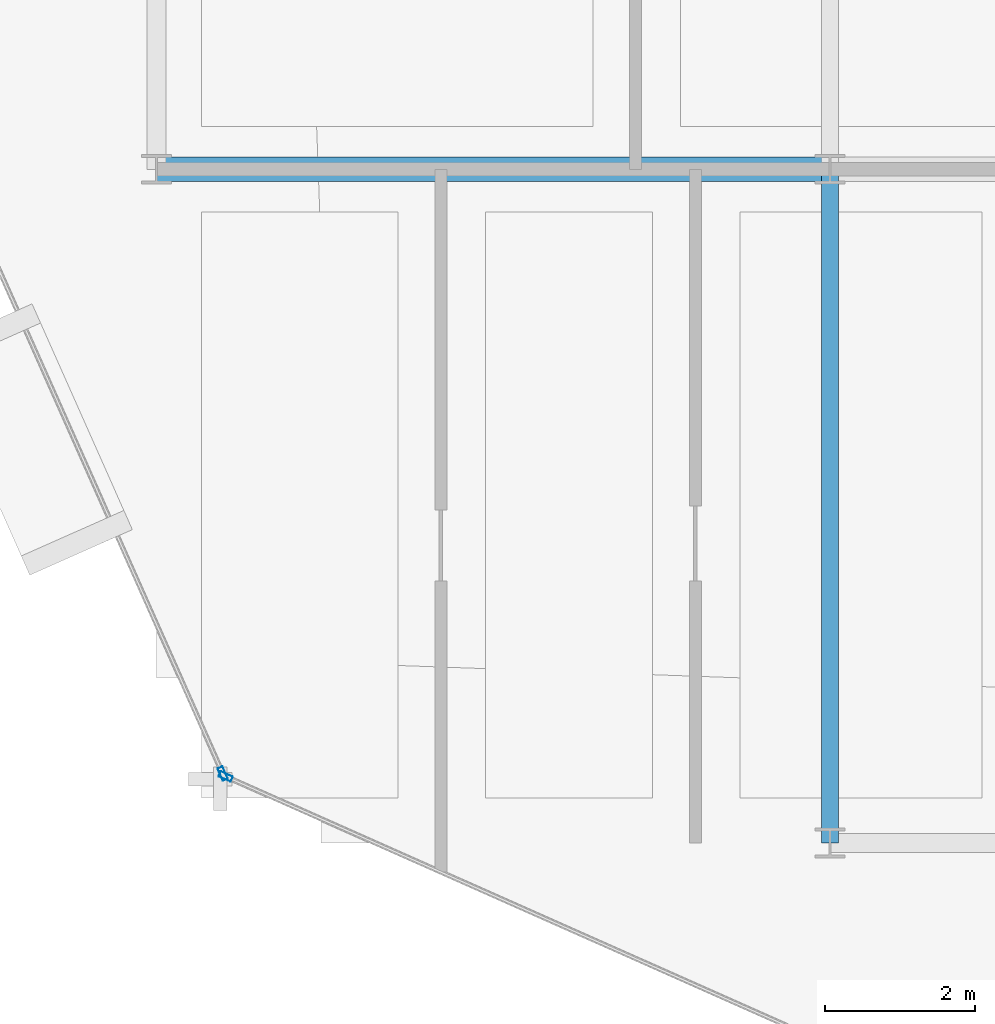
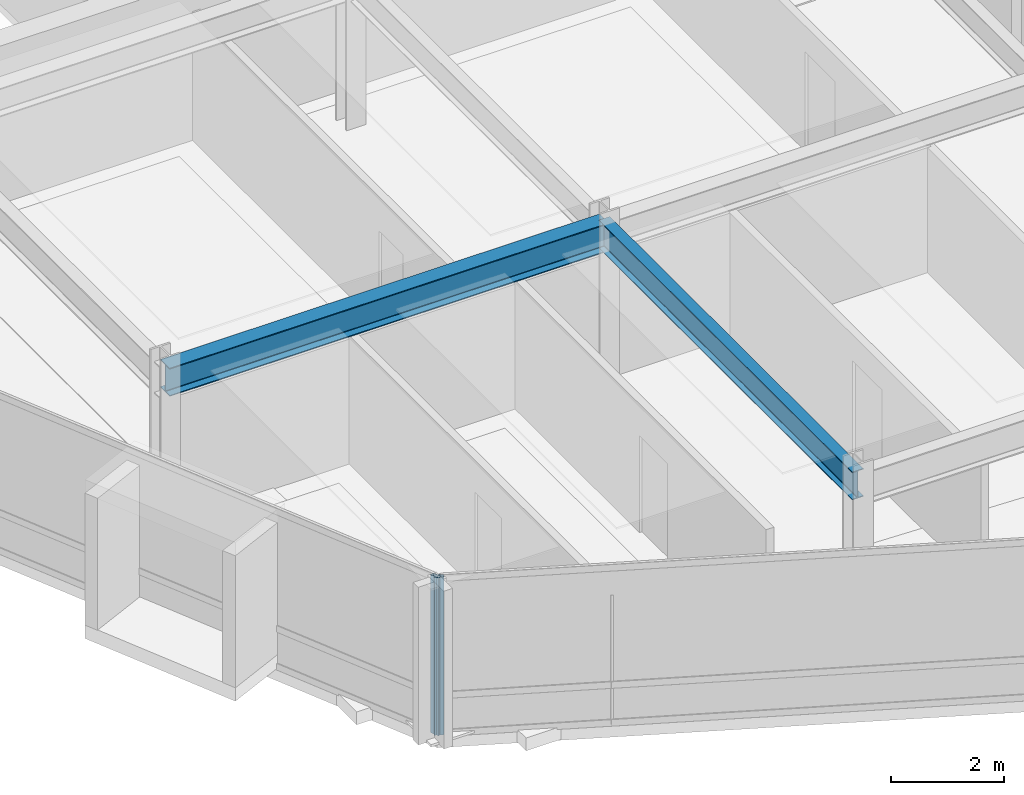
# One storey, part 2 of 27: 2 beams, 2 members, 2 elements without a shape of their own.
"""IFC4 building model written with IfcOpenShell, lengths in metres."""

from ifc_helpers import new_model, si_unit, direction, frame, origin, origin_2d, place, context, subcontext, project, spatial, hollow_rectangle, i_section, extrude, material, layer, layer_set, material_profile, profile_set, type_object, element, aggregate, save


model = new_model("IFC4")

# Units and contexts
model_context = context("Model", 3, precision=1e-05, world=origin(), true_north=direction((0.0, 1.0)))
body_context = subcontext(model_context, "Body", "Model", "MODEL_VIEW")
ifc_project = project(units=[si_unit("LENGTHUNIT", "METRE"), si_unit("AREAUNIT", "SQUARE_METRE"), si_unit("VOLUMEUNIT", "CUBIC_METRE"), si_unit("PLANEANGLEUNIT", "RADIAN"), si_unit("MASSUNIT", "GRAM", prefix="KILO")], contexts=[model_context])

# Site, building, storey
site_placement = place(None, origin())
site = spatial("IfcSite", under=ifc_project, at=site_placement, CompositionType="ELEMENT")
building_placement = place(site_placement, origin())
building = spatial("IfcBuilding", under=site, at=building_placement, Name="Solvaryn Broadcast Tower", CompositionType="ELEMENT")
storey_placement = place(building_placement, frame((0.0, 0.0, 228.39990234375)))
storey = spatial("IfcBuildingStorey", under=building, at=storey_placement, Name="L57", CompositionType="ELEMENT", Elevation=228.39990234375)

# Beams
ifc_material_1 = material(Name="Steel ASTM A992 Grade 50", Category="steel")
ifc_material_profile_1 = material_profile(ifc_material_1, i_section(OverallWidth=0.323974609375, OverallDepth=0.611083984375, WebThickness=0.0126953125, FlangeThickness=0.01904296875, FilletRadius=0.014892578125, at=origin_2d()))
ifc_profile_set_1 = profile_set([ifc_material_profile_1], Name="Steel ASTM A992 Grade 50")
beam_type_1 = type_object("IfcBeamType", Name="BM-B1-W24X104", PredefinedType="BEAM", material=ifc_profile_set_1)
beam_1_placement = place(storey_placement, frame((9.0, 18.0, 3.114501953125), z_axis=(1.0, 0.0, 0.0), x_axis=(0.0, 1.0, 0.0)))
element("IfcBeam", 1, at=beam_1_placement, inside=storey, type_object=beam_type_1, Name="L57 Primary Beam X (9-18 @ Y=18)", PredefinedType="BEAM", context=body_context, shape_type="SweptSolid", body=[
    extrude(i_section(OverallWidth=0.323974609375, OverallDepth=0.611083984375, WebThickness=0.0126953125, FlangeThickness=0.01904296875, FilletRadius=0.014892578125, at=origin_2d()), origin(), (0.0, 0.0, 1.0), 9.0),
])
ifc_material_2 = material(Name="Steel ASTM A992 Grade 50", Category="steel")
ifc_material_profile_2 = material_profile(ifc_material_2, i_section(OverallWidth=0.22802734375, OverallDepth=0.60791015625, WebThickness=0.01123046875, FlangeThickness=0.017333984375, FilletRadius=0.014892578125, at=origin_2d()))
ifc_profile_set_2 = profile_set([ifc_material_profile_2], Name="Steel ASTM A992 Grade 50")
beam_type_2 = type_object("IfcBeamType", Name="BM-B2-W24X76", PredefinedType="BEAM", material=ifc_profile_set_2)
beam_2_placement = place(storey_placement, frame((18.0, 9.0, 3.1162109375), z_axis=(0.0, 1.0, 0.0), x_axis=(-1.0, 0.0, 0.0)))
element("IfcBeam", 2, at=beam_2_placement, inside=storey, type_object=beam_type_2, Name="L57 Primary Beam Y (9-18 @ X=18)", PredefinedType="BEAM", context=body_context, shape_type="SweptSolid", body=[
    extrude(i_section(OverallWidth=0.22802734375, OverallDepth=0.60791015625, WebThickness=0.01123046875, FlangeThickness=0.017333984375, FilletRadius=0.014892578125, at=origin_2d()), origin(), (0.0, 0.0, 1.0), 9.0),
])

# Curtain wall, member
ifc_material_3 = material(Name="Aluminium and Terracotta Unitised Curtain Wall", Category="masonry")
ifc_layer = layer(ifc_material_3, 0.199951171875)
ifc_layer_set = layer_set([ifc_layer], Name="CW-SYS2-LOWMID")
curtain_wall_type = type_object("IfcCurtainWallType", Name="CW-SYS2-LOWMID", PredefinedType="NOTDEFINED", material=ifc_layer_set)
curtain_wall_1_placement = place(storey_placement, origin())
curtain_wall_1 = element("IfcCurtainWall", 3, at=curtain_wall_1_placement, inside=storey, type_object=curtain_wall_type, Name="L57 Curtain Wall DR2", PredefinedType="NOTDEFINED")
ifc_material_4 = material(Name="Anodised Aluminium 6063-T6", Category="aluminium")
ifc_material_profile_3 = material_profile(ifc_material_4, hollow_rectangle(XDim=0.074951171875, YDim=0.179931640625, WallThickness=0.00390625, InnerFilletRadius=0.00390625, OuterFilletRadius=0.008056640625, at=origin_2d()))
ifc_profile_set_3 = profile_set([ifc_material_profile_3], Name="Anodised Aluminium 6063-T6")
member_type = type_object("IfcMemberType", Name="CW-MUL-180", PredefinedType="MULLION", material=ifc_profile_set_3)
member_1_placement = place(storey_placement, frame((9.8857421875, 9.925537109375, 0.0), z_axis=(0.0, 0.0, 1.0), x_axis=(0.913916902365, 0.405901337237, 0.0)))
member_1 = element("IfcMember", 4, at=member_1_placement, type_object=member_type, Name="CWS2 mullion 2", PredefinedType="MULLION", context=body_context, shape_type="SweptSolid", body=[
    extrude(hollow_rectangle(XDim=0.074951171875, YDim=0.179931640625, WallThickness=0.00390625, InnerFilletRadius=0.00390625, OuterFilletRadius=0.008056640625, at=origin_2d()), origin(), (0.0, 0.0, 1.0), 3.420166015625),
])
aggregate(curtain_wall_1, [member_1])

curtain_wall_2_placement = place(storey_placement, origin())
curtain_wall_2 = element("IfcCurtainWall", 5, at=curtain_wall_2_placement, inside=storey, type_object=curtain_wall_type, Name="L57 Curtain Wall DR3", PredefinedType="NOTDEFINED")
member_2_placement = place(storey_placement, frame((9.925537109375, 9.8857421875, 0.0), z_axis=(0.0, 0.0, 1.0), x_axis=(0.405901337237, 0.913916902365, 0.0)))
member_2 = element("IfcMember", 6, at=member_2_placement, type_object=member_type, Name="CWS2 mullion 1", PredefinedType="MULLION", context=body_context, shape_type="SweptSolid", body=[
    extrude(hollow_rectangle(XDim=0.074951171875, YDim=0.179931640625, WallThickness=0.00390625, InnerFilletRadius=0.00390625, OuterFilletRadius=0.008056640625, at=origin_2d()), origin(), (0.0, 0.0, 1.0), 3.420166015625),
])
aggregate(curtain_wall_2, [member_2])

save(model, "model.ifc")
